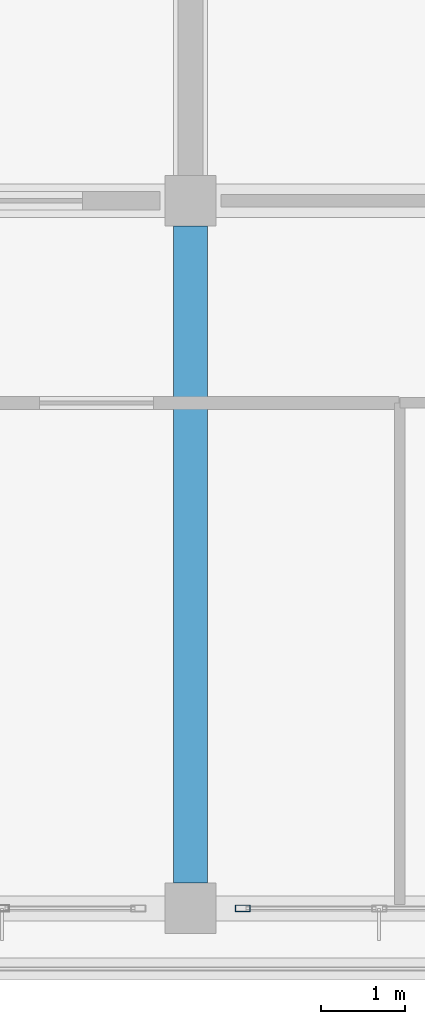
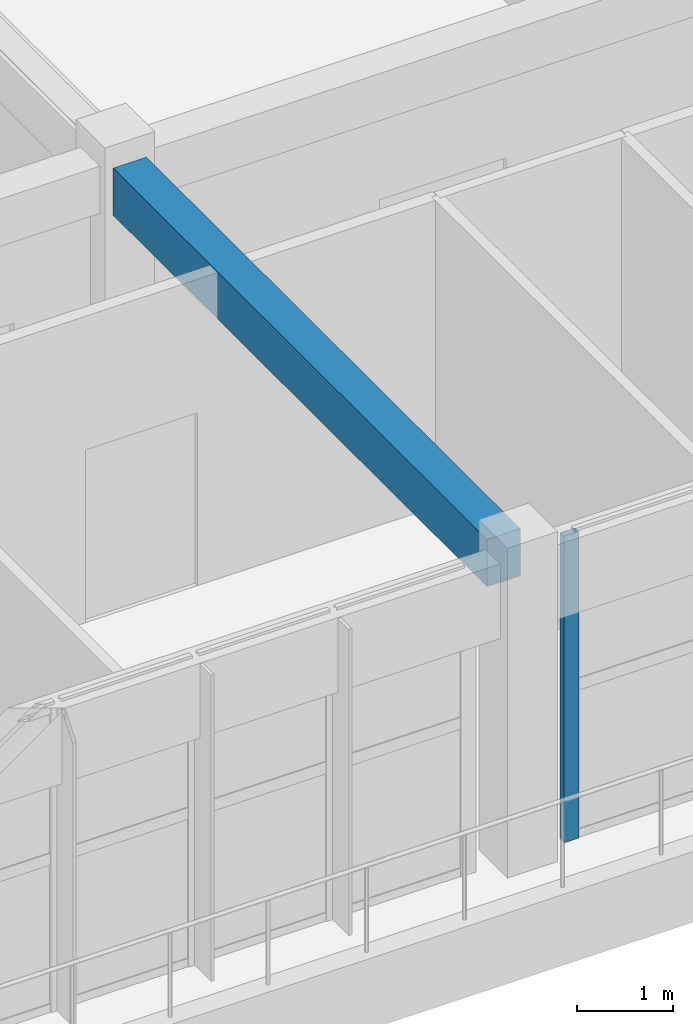
# One storey, part 15 of 50: 1 beam, 1 member, 1 element without a shape of its own.
"""IFC4 building model written with IfcOpenShell, lengths in metres."""

import ifcopenshell
import ifcopenshell.guid

model = None  # the IFC model being written
_history = None  # IfcOwnerHistory: only IFC2X3 demands one
_inside = {}  # id of a spatial element -> (the spatial element, [elements in it])
_under = {}  # id of a project, library or spatial element -> (it, [spatial elements below it])
_declared = {}  # id of a project -> (the project, [libraries it declares])
_typed = {}  # id of a type object -> (the type object, [elements of that type])
_made_of = {}  # id of a material, layer set ... -> (it, [elements and type objects made of it])


def new_model(schema):
    """Start an empty IFC model of exactly this schema.

    Asked for "IFC4X3", IfcOpenShell would pick the latest addendum, in which some entities
    have other attributes; the version numbers below select the first issue.
    IFC2X3 requires an IfcOwnerHistory on every rooted entity: one is made here for all.
    """
    global model, _history
    if schema == "IFC4X3":
        model = ifcopenshell.file(schema_version=(4, 3, 0, 0))
    else:
        model = ifcopenshell.file(schema=schema)
    _inside.clear()
    _under.clear()
    _declared.clear()
    _typed.clear()
    _made_of.clear()
    _history = None
    if model.schema == "IFC2X3":
        org = make("IfcOrganization", Name="unknown")
        user = make(
            "IfcPersonAndOrganization",
            ThePerson=make("IfcPerson", FamilyName="unknown"),
            TheOrganization=org,
        )
        app = make(
            "IfcApplication",
            ApplicationDeveloper=org,
            Version="unknown",
            ApplicationFullName="unknown",
            ApplicationIdentifier="unknown",
        )
        _history = make(
            "IfcOwnerHistory",
            OwningUser=user,
            OwningApplication=app,
            ChangeAction="ADDED",
            CreationDate=0,
        )
    return model


def make(cls, **values):
    """One entity of the class cls with the attributes given. An attribute that is None is left unset."""
    return model.create_entity(
        cls, **{name: value for name, value in values.items() if value is not None}
    )


def rooted(cls, **values):
    """An entity with a GlobalId (a new one), such as an element, a storey or a relation."""
    return make(cls, GlobalId=ifcopenshell.guid.new(), OwnerHistory=_history, **values)


def si_unit(unit_type, name, prefix=None):
    """IfcSIUnit, for example si_unit("LENGTHUNIT", "METRE", prefix="MILLI")."""
    return make("IfcSIUnit", UnitType=unit_type, Prefix=prefix, Name=name)


def assignment(units):
    """IfcUnitAssignment: the units of a project."""
    return None if units is None else make("IfcUnitAssignment", Units=units)


def point(xyz):
    """IfcCartesianPoint."""
    return None if xyz is None else make("IfcCartesianPoint", Coordinates=xyz)


def direction(xyz):
    """IfcDirection."""
    return None if xyz is None else make("IfcDirection", DirectionRatios=xyz)


def frame(location, z_axis=None, x_axis=None):
    """IfcAxis2Placement3D, a coordinate frame: its origin and axes. An axis left out is left unset."""
    return make(
        "IfcAxis2Placement3D",
        Location=point(location),
        Axis=direction(z_axis),
        RefDirection=direction(x_axis),
    )


def frame_2d(location, x_axis=None):
    """IfcAxis2Placement2D, a coordinate frame in the plane: its origin and x axis."""
    return make(
        "IfcAxis2Placement2D", Location=point(location), RefDirection=direction(x_axis)
    )


def origin():
    """The frame at (0, 0, 0) with its axes left unset."""
    return frame((0.0, 0.0, 0.0))


def origin_2d():
    """The frame at (0, 0) in the plane with its x axis left unset."""
    return frame_2d((0.0, 0.0))


def place(relative_to, where):
    """IfcLocalPlacement: puts the frame where relative to a parent placement (None: the world)."""
    return make(
        "IfcLocalPlacement", PlacementRelTo=relative_to, RelativePlacement=where
    )


def context(
    kind, dimensions, precision=None, world=None, true_north=None, identifier=None
):
    """IfcGeometricRepresentationContext, for example the 3D "Model" context."""
    return make(
        "IfcGeometricRepresentationContext",
        ContextIdentifier=identifier,
        ContextType=kind,
        CoordinateSpaceDimension=dimensions,
        Precision=precision,
        WorldCoordinateSystem=world,
        TrueNorth=true_north,
    )


def subcontext(parent, identifier, kind, view, scale=None):
    """IfcGeometricRepresentationSubContext, for example "Body" below "Model"."""
    return make(
        "IfcGeometricRepresentationSubContext",
        ContextIdentifier=identifier,
        ContextType=kind,
        ParentContext=parent,
        TargetScale=scale,
        TargetView=view,
    )


def project(units=None, contexts=None):
    """IfcProject with its units and contexts."""
    return rooted(
        "IfcProject",
        Name="project",
        RepresentationContexts=contexts,
        UnitsInContext=assignment(units),
    )


def spatial(cls, under=None, at=None, **own):
    """A site, building, storey or space (cls), placed at a placement, below another one or the project."""
    s = rooted(cls, ObjectPlacement=at, **own)
    if under is not None:
        _under.setdefault(under.id(), (under, []))[1].append(s)
    return s


def profile(cls, at=None, kind="AREA", **sizes):
    """A parametric profile (cls). Its sizes go by their IFC names, for example OverallWidth=200.0."""
    return make(cls, ProfileType=kind, Position=at, **sizes)


def rectangle(**sizes):
    """IfcRectangleProfileDef."""
    return profile("IfcRectangleProfileDef", **sizes)


def hollow_rectangle(**sizes):
    """IfcRectangleHollowProfileDef."""
    return profile("IfcRectangleHollowProfileDef", **sizes)


def extrude(swept, where, along, depth):
    """IfcExtrudedAreaSolid: the profile swept, set in the frame where, extruded along a direction by depth."""
    return make(
        "IfcExtrudedAreaSolid",
        SweptArea=swept,
        Position=where,
        ExtrudedDirection=direction(along),
        Depth=depth,
    )


def shape(context_of_items, identifier, shape_type, items):
    """IfcShapeRepresentation: the items that make up one representation, for example the "Body"."""
    return make(
        "IfcShapeRepresentation",
        ContextOfItems=context_of_items,
        RepresentationIdentifier=identifier,
        RepresentationType=shape_type,
        Items=items,
    )


def material(Name=None, Category=None):
    """IfcMaterial."""
    return make("IfcMaterial", Name=Name, Category=Category)


def layer(
    of_material, thickness, ventilated=None, Name=None, Category=None, Priority=None
):
    """IfcMaterialLayer: one layer of a wall or slab, of a material (None: an air gap)."""
    return make(
        "IfcMaterialLayer",
        Material=of_material,
        LayerThickness=thickness,
        IsVentilated=ventilated,
        Name=Name,
        Category=Category,
        Priority=Priority,
    )


def layer_set(layers, Name=None):
    """IfcMaterialLayerSet."""
    return make("IfcMaterialLayerSet", MaterialLayers=layers, LayerSetName=Name)


def material_profile(
    of_material, cross_section, Name=None, Category=None, Priority=None
):
    """IfcMaterialProfile: a cross section and its material."""
    return make(
        "IfcMaterialProfile",
        Name=Name,
        Material=of_material,
        Profile=cross_section,
        Priority=Priority,
        Category=Category,
    )


def profile_set(profiles, Name=None, composite=None):
    """IfcMaterialProfileSet."""
    return make(
        "IfcMaterialProfileSet",
        Name=Name,
        MaterialProfiles=profiles,
        CompositeProfile=composite,
    )


def made_of(thing, what):
    """Note that an element or type object is made of a material, layer set ...; save() writes the relation."""
    if what is not None:
        _made_of.setdefault(what.id(), (what, []))[1].append(thing)
    return thing


def type_object(cls, material=None, **own):
    """A type object (cls), such as IfcWallType, which elements share."""
    return made_of(rooted(cls, **own), material)


def element(
    cls,
    number,
    at=None,
    inside=None,
    cuts=None,
    type_object=None,
    material=None,
    context=None,
    identifier="Body",
    shape_type=None,
    held_by="IfcProductDefinitionShape",
    body=None,
    shapes=None,
    **own,
):
    """One element of the class cls, such as IfcWall. Its Tag is "e" and its number.

    at: its placement. inside: the storey or other place that contains it. cuts: it is an
    opening in that element (IfcRelVoidsElement). A single representation is given by context,
    identifier, shape_type and body (its items); several are given by shapes. held_by: the class
    of the entity that holds the representations. save() writes the other relations.
    """
    e = rooted(cls, Tag="e%d" % number, ObjectPlacement=at, **own)
    if body is not None:
        shapes = [shape(context, identifier, shape_type, body)]
    if shapes is not None:
        e.Representation = make(held_by, Representations=shapes)
    if inside is not None:
        _inside.setdefault(inside.id(), (inside, []))[1].append(e)
    if cuts is not None:
        rooted(
            "IfcRelVoidsElement", RelatingBuildingElement=cuts, RelatedOpeningElement=e
        )
    if type_object is not None:
        _typed.setdefault(type_object.id(), (type_object, []))[1].append(e)
    return made_of(e, material)


def aggregate(whole, parts):
    """IfcRelAggregates: a whole, such as a stair, and the parts it consists of."""
    return rooted("IfcRelAggregates", RelatingObject=whole, RelatedObjects=parts)


def save(model, path):
    """Write the relations noted so far, then the file.

    IfcRelAggregates (storeys below a building ...), IfcRelContainedInSpatialStructure (elements
    in a storey), IfcRelDefinesByType, IfcRelAssociatesMaterial and IfcRelDeclares: one each for
    every whole, place, type object, material and project.
    """
    for whole, parts in _under.values():
        aggregate(whole, parts)
    for where, things in _inside.values():
        rooted(
            "IfcRelContainedInSpatialStructure",
            RelatedElements=things,
            RelatingStructure=where,
        )
    for kind, things in _typed.values():
        rooted("IfcRelDefinesByType", RelatedObjects=things, RelatingType=kind)
    for what, things in _made_of.values():
        rooted("IfcRelAssociatesMaterial", RelatedObjects=things, RelatingMaterial=what)
    for by, libraries in _declared.values():
        rooted("IfcRelDeclares", RelatingContext=by, RelatedDefinitions=libraries)
    model.write(path)


model = new_model("IFC4")

# Units and contexts
model_context = context("Model", 3, precision=1e-05, world=origin(), true_north=direction((0.0, 1.0)))
body_context = subcontext(model_context, "Body", "Model", "MODEL_VIEW")
ifc_project = project(units=[si_unit("LENGTHUNIT", "METRE"), si_unit("AREAUNIT", "SQUARE_METRE"), si_unit("VOLUMEUNIT", "CUBIC_METRE"), si_unit("PLANEANGLEUNIT", "RADIAN"), si_unit("MASSUNIT", "GRAM", prefix="KILO")], contexts=[model_context])

# Site, building, storey
site_placement = place(None, origin())
site = spatial("IfcSite", under=ifc_project, at=site_placement, CompositionType="ELEMENT")
building_placement = place(site_placement, origin())
building = spatial("IfcBuilding", under=site, at=building_placement, Name="Zizhar Promenade General Hospital", CompositionType="ELEMENT")
storey_placement = place(building_placement, frame((0.0, 0.0, 30.60009765625)))
storey = spatial("IfcBuildingStorey", under=building, at=storey_placement, Name="L07", CompositionType="ELEMENT", Elevation=30.60009765625)

# Beam
ifc_material_1 = material(Name="Concrete C35/45", Category="concrete")
ifc_material_profile_1 = material_profile(ifc_material_1, rectangle(XDim=0.39990234375, YDim=0.60009765625, at=origin_2d()))
ifc_profile_set_1 = profile_set([ifc_material_profile_1], Name="Concrete C35/45")
beam_type = type_object("IfcBeamType", Name="BM-RC-400x600", PredefinedType="JOIST", material=ifc_profile_set_1)
beam_placement = place(storey_placement, frame((85.800048828125, 0.300048828125, 3.60986328125), z_axis=(0.0, 1.0, 0.0), x_axis=(-1.0, 0.0, 0.0)))
element("IfcBeam", 1, at=beam_placement, inside=storey, type_object=beam_type, Name="Grid Beam Y L07 (11-0)", PredefinedType="JOIST", context=body_context, shape_type="SweptSolid", body=[
    extrude(rectangle(XDim=0.39990234375, YDim=0.60009765625, at=origin_2d()), origin(), (0.0, 0.0, 1.0), 7.800048828125),
])

# Curtain wall, member
ifc_material_2 = material(Name="Anodised aluminium 6063-T6 and low-E glass", Category="aluminium")
ifc_layer = layer(ifc_material_2, 0.159912109375)
ifc_layer_set = layer_set([ifc_layer], Name="Anodised aluminium 6063-T6 and low-E glass")
curtain_wall_type = type_object("IfcCurtainWallType", Name="CW-WARD-RIB", PredefinedType="NOTDEFINED", material=ifc_layer_set)
curtain_wall_placement = place(storey_placement, origin())
curtain_wall = element("IfcCurtainWall", 2, at=curtain_wall_placement, inside=storey, type_object=curtain_wall_type, Name="Ward Ribbon Curtain Wall L07-17-2", PredefinedType="NOTDEFINED")
ifc_material_3 = material(Name="Anodised aluminium 6063-T6", Category="aluminium")
ifc_material_profile_2 = material_profile(ifc_material_3, hollow_rectangle(XDim=0.080078125, YDim=0.179931640625, WallThickness=0.0048828125, at=origin_2d()))
ifc_profile_set_2 = profile_set([ifc_material_profile_2], Name="Anodised aluminium 6063-T6")
member_type = type_object("IfcMemberType", Name="CWM-ALU-180x80", PredefinedType="MULLION", material=ifc_profile_set_2)
member_placement = place(storey_placement, frame((86.419921875, 0.0, 0.0), z_axis=(0.0, 0.0, 1.0), x_axis=(0.0, -1.0, 0.0)))
member = element("IfcMember", 3, at=member_placement, type_object=member_type, Name="CW-13 mullion 5", PredefinedType="MULLION", context=body_context, shape_type="SweptSolid", body=[
    extrude(hollow_rectangle(XDim=0.080078125, YDim=0.179931640625, WallThickness=0.0048828125, at=origin_2d()), origin(), (0.0, 0.0, 1.0), 3.89990234375),
])
aggregate(curtain_wall, [member])

save(model, "model.ifc")
